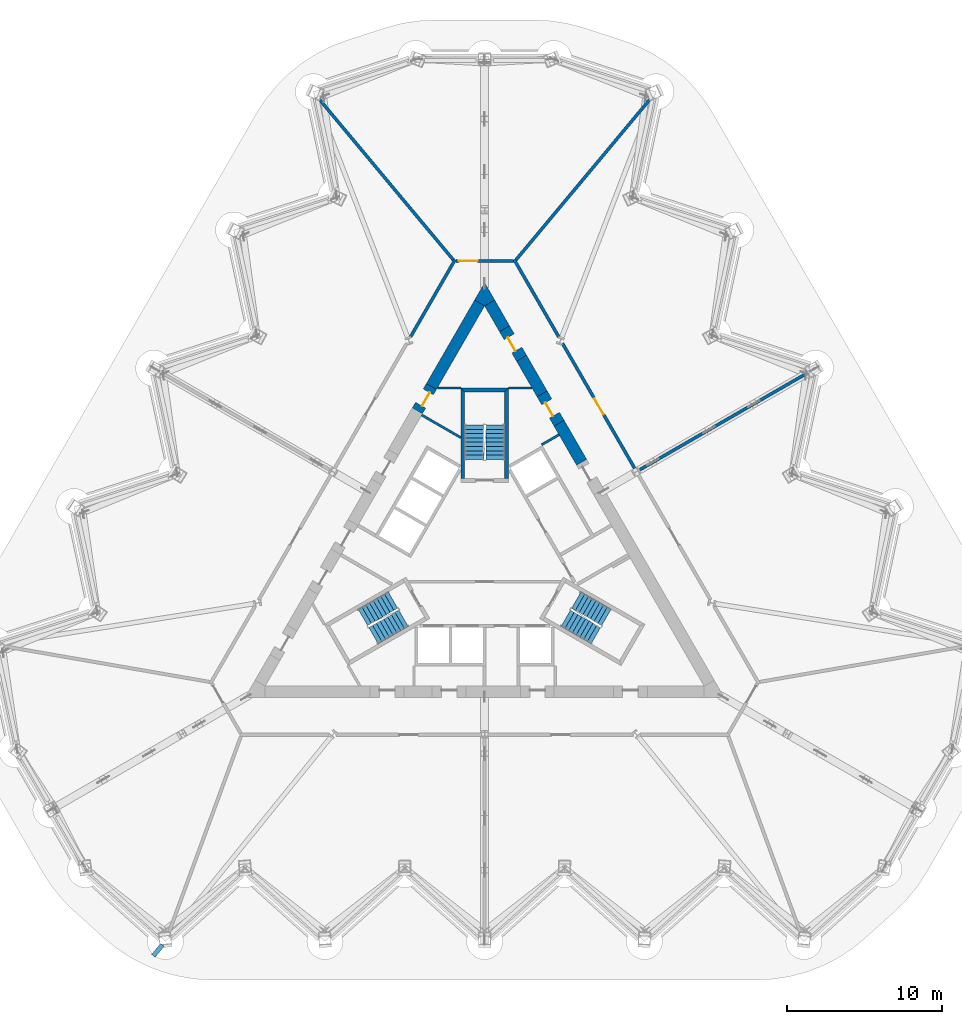
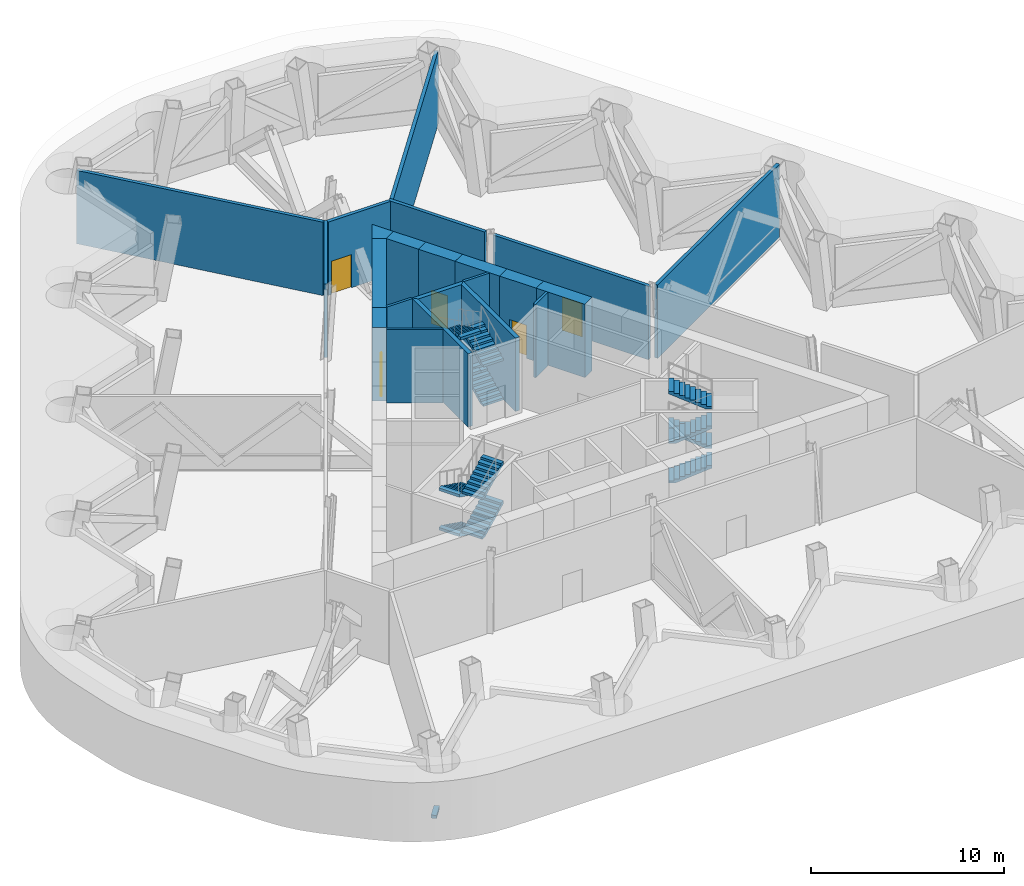
# One storey, part 7 of 13: 22 walls, 12 stair flights, 5 doors, 1 discrete accessory, 5 openings, 3 elements without a shape of their own.
"""IFC4 building model written with IfcOpenShell, lengths in metres."""

from ifc_helpers import new_model, si_unit, direction, frame, frame_2d, origin, origin_2d, place, context, subcontext, project, spatial, polyline, rectangle, outline, extrude, material, layer, layer_set, type_object, element, fill, aggregate, save


model = new_model("IFC4")

# Units and contexts
model_context = context("Model", 3, precision=1e-05, world=origin(), true_north=direction((0.0, 1.0)))
body_context = subcontext(model_context, "Body", "Model", "MODEL_VIEW")
ifc_project = project(units=[si_unit("LENGTHUNIT", "METRE"), si_unit("AREAUNIT", "SQUARE_METRE"), si_unit("VOLUMEUNIT", "CUBIC_METRE"), si_unit("PLANEANGLEUNIT", "RADIAN"), si_unit("MASSUNIT", "GRAM", prefix="KILO")], contexts=[model_context])

# Site, building, storey
site_placement = place(None, origin())
site = spatial("IfcSite", under=ifc_project, at=site_placement, CompositionType="ELEMENT")
building_placement = place(site_placement, origin())
building = spatial("IfcBuilding", under=site, at=building_placement, Name="Cormorant Prow Tower", CompositionType="ELEMENT")
storey_placement = place(building_placement, frame((0.0, 0.0, 226.0)))
storey = spatial("IfcBuildingStorey", under=building, at=storey_placement, Name="L49", CompositionType="ELEMENT", Elevation=226.0)

# Walls
ifc_material_1 = material(Name="Gypsum board partition")
ifc_layer_1 = layer(ifc_material_1, 0.14990234375)
ifc_layer_set_1 = layer_set([ifc_layer_1], Name="Gypsum board partition")
wall_type_1 = type_object("IfcWallType", Name="Core partition 150", PredefinedType="PARTITIONING", material=ifc_layer_set_1)
wall_1_placement = place(storey_placement, frame((3.693359375, 7.4150390625, 0.0), z_axis=(0.0, 0.0, 1.0), x_axis=(0.866003189247, 0.500038474733, 0.0)))
element("IfcWall", 1, at=wall_1_placement, inside=storey, type_object=wall_type_1, Name="Service room partition", PredefinedType="PARTITIONING", context=body_context, shape_type="SweptSolid", body=[
    extrude(rectangle(XDim=1.29296875, YDim=0.14990234375, at=frame_2d((0.646484375, 0.0))), origin(), (0.0, 0.0, 1.0), 4.64990234375),
])
wall_2_placement = place(storey_placement, frame((-4.0751953125, 9.33935546875, 0.0), z_axis=(0.0, 0.0, 1.0), x_axis=(0.865995658863, -0.500051516177, 0.0)))
element("IfcWall", 2, at=wall_2_placement, inside=storey, type_object=wall_type_1, Name="Service room partition", PredefinedType="PARTITIONING", context=body_context, shape_type="SweptSolid", body=[
    extrude(rectangle(XDim=2.932861328125, YDim=0.14990234375, at=frame_2d((1.46630859375, 0.0))), origin(), (0.0, 0.0, 1.0), 4.64990234375),
])
for number, where, z_axis, x_axis, name in (
    (3, (-1.5439453125, 11.0869140625, 0.0), (0.0, 0.0, 1.0), (-1.0, 0.0, 0.0), "Service room partition"),
    (4, (1.5439453125, 11.0869140625, 0.0), (0.0, 0.0, 1.0), (1.0, 0.0, 0.0), "Service room partition"),
):
    element("IfcWall", number, at=place(storey_placement, frame(where, z_axis=z_axis, x_axis=x_axis)), inside=storey, type_object=wall_type_1, Name=name, PredefinedType="PARTITIONING", context=body_context, shape_type="SweptSolid", body=[
        extrude(rectangle(XDim=1.5224609375, YDim=0.14990234375, at=frame_2d((0.76123046875, 0.0))), origin(), (0.0, 0.0, 1.0), 4.64990234375),
    ])
ifc_material_2 = material(Name="Concrete 8000 psi", Category="concrete")
ifc_layer_2 = layer(ifc_material_2, 0.75)
ifc_layer_set_2 = layer_set([ifc_layer_2], Name="Concrete 8000 psi")
wall_type_2 = type_object("IfcWallType", Name="Core shear wall 750", PredefinedType="SHEAR", material=ifc_layer_set_2)
wall_3_placement = place(storey_placement, frame((6.275390625, 6.27880859375, 0.0), z_axis=(0.0, 0.0, 1.0), x_axis=(-0.500029273391, 0.866008502124, 0.0)))
element("IfcWall", 5, at=wall_3_placement, inside=storey, type_object=wall_type_2, Name="Core wall", PredefinedType="SHEAR", context=body_context, shape_type="SweptSolid", body=[
    extrude(rectangle(XDim=2.915771484375, YDim=0.75, at=frame_2d((1.4580078125, 0.0))), origin(), (0.0, 0.0, 1.0), 4.64990234375),
])
wall_4_placement = place(storey_placement, frame((3.71728515625, 10.709228515625, 0.0), z_axis=(0.0, 0.0, 1.0), x_axis=(-0.500005599468, 0.866022170906, 0.0)))
element("IfcWall", 6, at=wall_4_placement, inside=storey, type_object=wall_type_2, Name="Core wall", PredefinedType="SHEAR", context=body_context, shape_type="SweptSolid", body=[
    extrude(rectangle(XDim=2.662109375, YDim=0.75, at=frame_2d((1.3310546875, 0.0))), origin(), (0.0, 0.0, 1.0), 4.64990234375),
])
wall_5_placement = place(storey_placement, frame((1.286376953125, 14.919921875, 0.0), z_axis=(0.0, 0.0, 1.0), x_axis=(-0.500030129425, 0.866008007854, 0.0)))
element("IfcWall", 7, at=wall_5_placement, inside=storey, type_object=wall_type_2, Name="Core wall", PredefinedType="SHEAR", context=body_context, shape_type="SweptSolid", body=[
    extrude(rectangle(XDim=1.92333984375, YDim=0.75, at=frame_2d((0.961669921875, 0.0))), origin(), (0.0, 0.0, 1.0), 4.64990234375),
])
wall_6_placement = place(storey_placement, frame((-0.32470703125, 16.58544921875, 0.0), z_axis=(0.0, 0.0, 1.0), x_axis=(-0.499985517215, -0.866033765263, 0.0)))
element("IfcWall", 8, at=wall_6_placement, inside=storey, type_object=wall_type_2, Name="Core wall", PredefinedType="SHEAR", context=body_context, shape_type="SweptSolid", body=[
    extrude(rectangle(XDim=6.239501953125, YDim=0.75, at=frame_2d((3.11962890625, 0.0))), origin(), (0.0, 0.0, 1.0), 4.64990234375),
])
wall_7_placement = place(storey_placement, origin())
element("IfcWall", 9, at=wall_7_placement, inside=storey, type_object=wall_type_2, Name="Core wall corner", PredefinedType="SHEAR", context=body_context, shape_type="SweptSolid", body=[
    extrude(outline(polyline([(-0.6494140625, 16.77294921875), (0.0, 17.89794921875), (0.6494140625, 16.77294921875), (0.0, 16.39794921875), (-0.6494140625, 16.77294921875)])), origin(), (0.0, 0.0, 1.0), 4.64990234375),
])

# Wall, opening, door
wall_8_placement = place(storey_placement, frame((2.38623046875, 13.0146484375, 0.0), z_axis=(0.0, 0.0, 1.0), x_axis=(-0.499946605688, 0.86605622881, 0.0)))
wall_8 = element("IfcWall", 10, at=wall_8_placement, inside=storey, type_object=wall_type_2, Name="Core wall door panel", PredefinedType="SHEAR", context=body_context, shape_type="SweptSolid", body=[
    extrude(rectangle(XDim=2.199951171875, YDim=0.75, at=frame_2d((1.10009765625, 0.0))), origin(), (0.0, 0.0, 1.0), 4.64990234375),
])
opening_1_placement = place(wall_8_placement, frame((0.60009765625, 0.0, 0.0)))
opening_1 = element("IfcOpeningElement", 11, at=opening_1_placement, cuts=wall_8, Name="Opening L49-C17", PredefinedType="OPENING", context=body_context, shape_type="SweptSolid", body=[
    extrude(rectangle(XDim=1.0, YDim=2.10009765625, at=frame_2d((0.5, 1.050048828125))), frame((0.0, 0.385009765625, 0.0), z_axis=(0.0, -1.0, 0.0), x_axis=(1.0, 0.0, 0.0)), (0.0, 0.0, 1.0), 0.77001953125),
])
ifc_material_3 = material(Name="Painted steel", Category="steel")
door_type_1 = type_object("IfcDoorType", Name="Service door 1000x2100", OperationType="NOTDEFINED", PredefinedType="DOOR", material=ifc_material_3)
door_1_placement = place(opening_1_placement, origin())
door_1 = element("IfcDoor", 12, at=door_1_placement, inside=storey, type_object=door_type_1, Name="Core door, Mechanical riser room", OperationType="SINGLE_SWING_RIGHT", OverallHeight=2.10009765625, OverallWidth=1.0, PredefinedType="DOOR", context=body_context, shape_type="SweptSolid", body=[
    extrude(rectangle(XDim=1.0, YDim=2.10009765625, at=frame_2d((0.5, 1.050048828125))), frame((0.0, 0.1298828125, 0.0), z_axis=(0.0, -1.0, 0.0), x_axis=(1.0, 0.0, 0.0)), (0.0, 0.0, 1.0), 0.050048828125),
])
fill(opening_1, door_1)

wall_9_placement = place(storey_placement, frame((4.8173828125, 8.803955078125, 0.0), z_axis=(0.0, 0.0, 1.0), x_axis=(-0.50002983664, 0.866008176907, 0.0)))
wall_9 = element("IfcWall", 13, at=wall_9_placement, inside=storey, type_object=wall_type_2, Name="Core wall door panel", PredefinedType="SHEAR", context=body_context, shape_type="SweptSolid", body=[
    extrude(rectangle(XDim=2.199951171875, YDim=0.75, at=frame_2d((1.10009765625, 0.0))), origin(), (0.0, 0.0, 1.0), 4.64990234375),
])
opening_2_placement = place(wall_9_placement, frame((0.60009765625, 0.0, 0.0)))
opening_2 = element("IfcOpeningElement", 14, at=opening_2_placement, cuts=wall_9, Name="Opening L49-C20", PredefinedType="OPENING", context=body_context, shape_type="SweptSolid", body=[
    extrude(rectangle(XDim=1.0, YDim=2.10009765625, at=frame_2d((0.5, 1.050048828125))), frame((0.0, 0.385009765625, 0.0), z_axis=(0.0, -1.0, 0.0), x_axis=(1.0, 0.0, 0.0)), (0.0, 0.0, 1.0), 0.77001953125),
])
door_2_placement = place(opening_2_placement, origin())
door_2 = element("IfcDoor", 15, at=door_2_placement, inside=storey, type_object=door_type_1, Name="Core door, Mechanical riser room", OperationType="SINGLE_SWING_RIGHT", OverallHeight=2.10009765625, OverallWidth=1.0, PredefinedType="DOOR", context=body_context, shape_type="SweptSolid", body=[
    extrude(rectangle(XDim=1.0, YDim=2.10009765625, at=frame_2d((0.5, 1.050048828125))), frame((0.0, 0.1298828125, 0.0), z_axis=(0.0, -1.0, 0.0), x_axis=(1.0, 0.0, 0.0)), (0.0, 0.0, 1.0), 0.050048828125),
])
fill(opening_2, door_2)

wall_10_placement = place(storey_placement, frame((-3.4443359375, 11.181884765625, 0.0), z_axis=(0.0, 0.0, 1.0), x_axis=(-0.500071537347, -0.865984097738, 0.0)))
wall_10 = element("IfcWall", 16, at=wall_10_placement, inside=storey, type_object=wall_type_2, Name="Core wall door panel", PredefinedType="SHEAR", context=body_context, shape_type="SweptSolid", body=[
    extrude(rectangle(XDim=1.816162109375, YDim=0.75, at=frame_2d((0.908203125, 0.0))), origin(), (0.0, 0.0, 1.0), 4.64990234375),
])
opening_3_placement = place(wall_10_placement, frame((0.39990234375, 0.0, 0.0)))
opening_3 = element("IfcOpeningElement", 17, at=opening_3_placement, cuts=wall_10, Name="Opening L49-C21", PredefinedType="OPENING", context=body_context, shape_type="SweptSolid", body=[
    extrude(rectangle(XDim=1.0, YDim=2.10009765625, at=frame_2d((0.5, 1.050048828125))), frame((0.0, 0.385009765625, 0.0), z_axis=(0.0, -1.0, 0.0), x_axis=(1.0, 0.0, 0.0)), (0.0, 0.0, 1.0), 0.77001953125),
])
door_3_placement = place(opening_3_placement, origin())
door_3 = element("IfcDoor", 18, at=door_3_placement, inside=storey, type_object=door_type_1, Name="Core door, Mechanical riser room", OperationType="SINGLE_SWING_RIGHT", OverallHeight=2.10009765625, OverallWidth=1.0, PredefinedType="DOOR", context=body_context, shape_type="SweptSolid", body=[
    extrude(rectangle(XDim=1.0, YDim=2.10009765625, at=frame_2d((0.5, 1.050048828125))), frame((0.0, 0.1298828125, 0.0), z_axis=(0.0, -1.0, 0.0), x_axis=(1.0, 0.0, 0.0)), (0.0, 0.0, 1.0), 0.050048828125),
])
fill(opening_3, door_3)

ifc_material_4 = material(Name="Gypsum board corridor wall")
ifc_layer_3 = layer(ifc_material_4, 0.199951171875)
ifc_layer_set_3 = layer_set([ifc_layer_3], Name="Gypsum board corridor wall")
wall_type_3 = type_object("IfcWallType", Name="Corridor wall 200", PredefinedType="PARTITIONING", material=ifc_layer_set_3)
wall_11_placement = place(storey_placement, frame((5.03759765625, 13.972412109375, 0.0), z_axis=(0.0, 0.0, 1.0), x_axis=(0.50000393355, -0.866023132736, 0.0)))
wall_11 = element("IfcWall", 19, at=wall_11_placement, inside=storey, type_object=wall_type_3, Name="Corridor wall", PredefinedType="PARTITIONING", context=body_context, shape_type="SweptSolid", body=[
    extrude(rectangle(XDim=9.3349609375, YDim=0.199951171875, at=frame_2d((4.66748046875, 0.0))), origin(), (0.0, 0.0, 1.0), 4.64990234375),
])
opening_4_placement = place(wall_11_placement, frame((4.11767578125, 0.0, 0.0)))
opening_4 = element("IfcOpeningElement", 20, at=opening_4_placement, cuts=wall_11, Name="Opening L49-F08", PredefinedType="OPENING", context=body_context, shape_type="SweptSolid", body=[
    extrude(rectangle(XDim=1.199951171875, YDim=2.10009765625, at=frame_2d((0.60009765625, 1.050048828125))), frame((0.0, 0.10986328125, 0.0), z_axis=(0.0, -1.0, 0.0), x_axis=(1.0, 0.0, 0.0)), (0.0, 0.0, 1.0), 0.219970703125),
])
ifc_material_5 = material(Name="Timber door leaf", Category="wood")
door_type_2 = type_object("IfcDoorType", Name="Plant room door 1200x2100", OperationType="NOTDEFINED", PredefinedType="DOOR", material=ifc_material_5)
door_4_placement = place(opening_4_placement, origin())
door_4 = element("IfcDoor", 21, at=door_4_placement, inside=storey, type_object=door_type_2, Name="Air handling plant room door", OperationType="SINGLE_SWING_RIGHT", OverallHeight=2.10009765625, OverallWidth=1.199951171875, PredefinedType="DOOR", context=body_context, shape_type="SweptSolid", body=[
    extrude(rectangle(XDim=1.199951171875, YDim=2.10009765625, at=frame_2d((0.60009765625, 1.050048828125))), frame((0.0, 0.02490234375, 0.0), z_axis=(0.0, -1.0, 0.0), x_axis=(1.0, 0.0, 0.0)), (0.0, 0.0, 1.0), 0.050048828125),
])
fill(opening_4, door_4)

# Walls
for number, where, z_axis, x_axis, name in (
    (22, (-4.791015625, 14.39990234375, 0.0), (0.0, 0.0, 1.0), (0.50000762079, 0.866021003874, 0.0), "Corridor wall"),
    (23, (1.9130859375, 19.384521484375, 0.0), (0.0, 0.0, 1.0), (0.50000762079, -0.866021003874, 0.0), "Corridor wall"),
):
    element("IfcWall", number, at=place(storey_placement, frame(where, z_axis=z_axis, x_axis=x_axis)), inside=storey, type_object=wall_type_3, Name=name, PredefinedType="PARTITIONING", context=body_context, shape_type="SweptSolid", body=[
        extrude(rectangle(XDim=5.755859375, YDim=0.199951171875, at=frame_2d((2.8779296875, 0.0))), origin(), (0.0, 0.0, 1.0), 4.64990234375),
    ])

# Wall, opening, door
wall_12_placement = place(storey_placement, frame((-1.863037109375, 19.2978515625, 0.0), z_axis=(0.0, 0.0, 1.0), x_axis=(1.0, 0.0, 0.0)))
wall_12 = element("IfcWall", 24, at=wall_12_placement, inside=storey, type_object=wall_type_3, Name="Corridor wall", PredefinedType="PARTITIONING", context=body_context, shape_type="SweptSolid", body=[
    extrude(rectangle(XDim=3.72607421875, YDim=0.199951171875, at=frame_2d((1.863037109375, 0.0))), origin(), (0.0, 0.0, 1.0), 4.64990234375),
])
opening_5_placement = place(wall_12_placement, frame((0.201171875, 0.0, 0.0)))
opening_5 = element("IfcOpeningElement", 25, at=opening_5_placement, cuts=wall_12, Name="Opening L49-F09", PredefinedType="OPENING", context=body_context, shape_type="SweptSolid", body=[
    extrude(rectangle(XDim=1.199951171875, YDim=2.10009765625, at=frame_2d((0.60009765625, 1.050048828125))), frame((0.0, 0.10986328125, 0.0), z_axis=(0.0, -1.0, 0.0), x_axis=(1.0, 0.0, 0.0)), (0.0, 0.0, 1.0), 0.219970703125),
])
door_5_placement = place(opening_5_placement, origin())
door_5 = element("IfcDoor", 26, at=door_5_placement, inside=storey, type_object=door_type_2, Name="Chiller plant room door", OperationType="SINGLE_SWING_LEFT", OverallHeight=2.10009765625, OverallWidth=1.199951171875, PredefinedType="DOOR", context=body_context, shape_type="SweptSolid", body=[
    extrude(rectangle(XDim=1.199951171875, YDim=2.10009765625, at=frame_2d((0.60009765625, 1.050048828125))), frame((0.0, 0.02490234375, 0.0), z_axis=(0.0, -1.0, 0.0), x_axis=(1.0, 0.0, 0.0)), (0.0, 0.0, 1.0), 0.050048828125),
])
fill(opening_5, door_5)

# Walls
ifc_material_6 = material(Name="Gypsum board demising wall")
ifc_layer_4 = layer(ifc_material_6, 0.199951171875)
ifc_layer_set_4 = layer_set([ifc_layer_4], Name="Gypsum board demising wall")
wall_type_4 = type_object("IfcWallType", Name="Demising wall 200", PredefinedType="PARTITIONING", material=ifc_layer_set_4)
for number, where, z_axis, x_axis, name in (
    (27, (2.027099609375, 19.37451171875, 0.0), (0.0, 0.0, 1.0), (0.640645811519, 0.767836534806, 0.0), "Demising wall"),
    (28, (-10.760498046875, 29.841796875, 0.0), (0.0, 0.0, 1.0), (0.640645811519, -0.767836534806, 0.0), "Demising wall"),
):
    element("IfcWall", number, at=place(storey_placement, frame(where, z_axis=z_axis, x_axis=x_axis)), inside=storey, type_object=wall_type_4, Name=name, PredefinedType="PARTITIONING", context=body_context, shape_type="SweptSolid", body=[
        extrude(rectangle(XDim=13.632080078125, YDim=0.199951171875, at=frame_2d((6.81591796875, 0.0))), origin(), (0.0, 0.0, 1.0), 4.64990234375),
    ])
wall_13_placement = place(storey_placement, frame((10.042236328125, 5.7978515625, 0.0), z_axis=(0.0, 0.0, 1.0), x_axis=(0.866025883649, 0.499999168849, 0.0)))
element("IfcWall", 29, at=wall_13_placement, inside=storey, type_object=wall_type_4, Name="Demising wall", PredefinedType="PARTITIONING", context=body_context, shape_type="SweptSolid", body=[
    extrude(rectangle(XDim=12.65234375, YDim=0.199951171875, at=frame_2d((6.326171875, 0.0))), origin(), (0.0, 0.0, 1.0), 4.64990234375),
])
ifc_material_7 = material(Name="Concrete 8000 psi", Category="concrete")
ifc_layer_5 = layer(ifc_material_7, 0.25)
ifc_layer_set_5 = layer_set([ifc_layer_5], Name="Concrete 8000 psi")
wall_type_5 = type_object("IfcWallType", Name="Stair wall 250", PredefinedType="SHEAR", material=ifc_layer_set_5)
wall_14_placement = place(storey_placement, origin())
element("IfcWall", 30, at=wall_14_placement, inside=storey, type_object=wall_type_5, Name="Stair ST3 enclosure wall (flank)", PredefinedType="SHEAR", context=body_context, shape_type="SweptSolid", body=[
    extrude(outline(polyline([(1.5439453125, 5.23681640625), (1.5439453125, 11.0869140625), (1.2939453125, 10.8369140625), (1.2939453125, 5.23681640625), (1.5439453125, 5.23681640625)])), origin(), (0.0, 0.0, 1.0), 4.64990234375),
])
wall_15_placement = place(storey_placement, origin())
element("IfcWall", 31, at=wall_15_placement, inside=storey, type_object=wall_type_5, Name="Stair ST3 enclosure wall (end)", PredefinedType="SHEAR", context=body_context, shape_type="SweptSolid", body=[
    extrude(outline(polyline([(1.5439453125, 11.0869140625), (-1.5439453125, 11.0869140625), (-1.2939453125, 10.8369140625), (1.2939453125, 10.8369140625), (1.5439453125, 11.0869140625)])), origin(), (0.0, 0.0, 1.0), 4.64990234375),
])
wall_16_placement = place(storey_placement, origin())
element("IfcWall", 32, at=wall_16_placement, inside=storey, type_object=wall_type_5, Name="Stair ST3 enclosure wall (flank)", PredefinedType="SHEAR", context=body_context, shape_type="SweptSolid", body=[
    extrude(outline(polyline([(-1.2939453125, 10.8369140625), (-1.5439453125, 11.0869140625), (-1.5439453125, 5.23681640625), (-1.2939453125, 5.23681640625), (-1.2939453125, 10.8369140625)])), origin(), (0.0, 0.0, 1.0), 4.64990234375),
])

# Stair, stair flights
ifc_material_8 = material(Name="Exit stair 36 risers")
stair_type = type_object("IfcStairType", Name="Exit stair 36 risers", PredefinedType="HALF_TURN_STAIR", material=ifc_material_8)
stair_1_placement = place(storey_placement, origin())
stair_1 = element("IfcStair", 33, at=stair_1_placement, inside=storey, type_object=stair_type, Name="L49 Exit stair ST1", PredefinedType="HALF_TURN_STAIR")
ifc_material_9 = material(Name="Concrete 5000 psi", Category="concrete")
stair_flight_type = type_object("IfcStairFlightType", Name="Stair flight 1219", PredefinedType="STRAIGHT", material=ifc_material_9)
stair_flight_1_placement = place(storey_placement, frame((-5.93310546875, -2.635009765625, 0.0), z_axis=(0.0, 0.0, 1.0), x_axis=(-0.866025403784, -0.5, 0.0)))
stair_flight_1 = element("IfcStairFlight", 34, at=stair_flight_1_placement, type_object=stair_flight_type, Name="ST1 flight 1", NumberOfRisers=9, NumberOfTreads=8, PredefinedType="STRAIGHT", RiserHeight=0.138888889, TreadLength=0.28, context=body_context, shape_type="SweptSolid", body=[
    extrude(outline(polyline([(0.0, 0.0), (0.0, 0.138916015625), (0.280029296875, 0.138916015625), (0.280029296875, 0.27783203125), (0.56005859375, 0.27783203125), (0.56005859375, 0.416748046875), (0.840087890625, 0.416748046875), (0.840087890625, 0.5556640625), (1.1201171875, 0.5556640625), (1.1201171875, 0.6943359375), (1.39990234375, 0.6943359375), (1.39990234375, 0.833251953125), (1.679931640625, 0.833251953125), (1.679931640625, 0.97216796875), (1.9599609375, 0.97216796875), (1.9599609375, 1.111083984375), (2.239990234375, 1.111083984375), (2.239990234375, 1.25), (2.239990234375, 0.94384765625), (0.33740234375, 0.0), (0.0, 0.0)])), frame((0.0, 0.609375, 0.0), z_axis=(0.0, -1.0, 0.0), x_axis=(1.0, 0.0, 0.0)), (0.0, 0.0, 1.0), 1.218994140625),
])
stair_flight_2_placement = place(storey_placement, frame((-7.1884765625, -4.940673828125, 1.25), z_axis=(0.0, 0.0, 1.0), x_axis=(0.866025403784, 0.5, 0.0)))
stair_flight_2 = element("IfcStairFlight", 35, at=stair_flight_2_placement, type_object=stair_flight_type, Name="ST1 flight 2", NumberOfRisers=9, NumberOfTreads=8, PredefinedType="STRAIGHT", RiserHeight=0.138888889, TreadLength=0.28, context=body_context, shape_type="SweptSolid", body=[
    extrude(outline(polyline([(0.0, 0.0), (0.0, 0.138916015625), (0.280029296875, 0.138916015625), (0.280029296875, 0.27783203125), (0.56005859375, 0.27783203125), (0.56005859375, 0.416748046875), (0.840087890625, 0.416748046875), (0.840087890625, 0.5556640625), (1.1201171875, 0.5556640625), (1.1201171875, 0.6943359375), (1.39990234375, 0.6943359375), (1.39990234375, 0.833251953125), (1.679931640625, 0.833251953125), (1.679931640625, 0.97216796875), (1.9599609375, 0.97216796875), (1.9599609375, 1.111083984375), (2.239990234375, 1.111083984375), (2.239990234375, 1.25), (2.239990234375, 0.94384765625), (0.33740234375, 0.0), (0.0, 0.0)])), frame((0.0, 0.609375, 0.0), z_axis=(0.0, -1.0, 0.0), x_axis=(1.0, 0.0, 0.0)), (0.0, 0.0, 1.0), 1.218994140625),
])
stair_flight_3_placement = place(storey_placement, frame((-5.93310546875, -2.635009765625, 2.5), z_axis=(0.0, 0.0, 1.0), x_axis=(-0.866025403784, -0.5, 0.0)))
stair_flight_3 = element("IfcStairFlight", 36, at=stair_flight_3_placement, type_object=stair_flight_type, Name="ST1 flight 3", NumberOfRisers=9, NumberOfTreads=8, PredefinedType="STRAIGHT", RiserHeight=0.138888889, TreadLength=0.28, context=body_context, shape_type="SweptSolid", body=[
    extrude(outline(polyline([(0.0, 0.0), (0.0, 0.138916015625), (0.280029296875, 0.138916015625), (0.280029296875, 0.27783203125), (0.56005859375, 0.27783203125), (0.56005859375, 0.416748046875), (0.840087890625, 0.416748046875), (0.840087890625, 0.5556640625), (1.1201171875, 0.5556640625), (1.1201171875, 0.6943359375), (1.39990234375, 0.6943359375), (1.39990234375, 0.833251953125), (1.679931640625, 0.833251953125), (1.679931640625, 0.97216796875), (1.9599609375, 0.97216796875), (1.9599609375, 1.111083984375), (2.239990234375, 1.111083984375), (2.239990234375, 1.25), (2.239990234375, 0.94384765625), (0.33740234375, 0.0), (0.0, 0.0)])), frame((0.0, 0.609375, 0.0), z_axis=(0.0, -1.0, 0.0), x_axis=(1.0, 0.0, 0.0)), (0.0, 0.0, 1.0), 1.218994140625),
])
stair_flight_4_placement = place(storey_placement, frame((-7.1884765625, -4.940673828125, 3.75), z_axis=(0.0, 0.0, 1.0), x_axis=(0.866025403784, 0.5, 0.0)))
stair_flight_4 = element("IfcStairFlight", 37, at=stair_flight_4_placement, type_object=stair_flight_type, Name="ST1 flight 4", NumberOfRisers=9, NumberOfTreads=8, PredefinedType="STRAIGHT", RiserHeight=0.138888889, TreadLength=0.28, context=body_context, shape_type="SweptSolid", body=[
    extrude(outline(polyline([(0.0, 0.0), (0.0, 0.138916015625), (0.280029296875, 0.138916015625), (0.280029296875, 0.27783203125), (0.56005859375, 0.27783203125), (0.56005859375, 0.416748046875), (0.840087890625, 0.416748046875), (0.840087890625, 0.5556640625), (1.1201171875, 0.5556640625), (1.1201171875, 0.6943359375), (1.39990234375, 0.6943359375), (1.39990234375, 0.833251953125), (1.679931640625, 0.833251953125), (1.679931640625, 0.97216796875), (1.9599609375, 0.97216796875), (1.9599609375, 1.111083984375), (2.239990234375, 1.111083984375), (2.239990234375, 1.25), (2.239990234375, 0.94384765625), (0.33740234375, 0.0), (0.0, 0.0)])), frame((0.0, 0.609375, 0.0), z_axis=(0.0, -1.0, 0.0), x_axis=(1.0, 0.0, 0.0)), (0.0, 0.0, 1.0), 1.218994140625),
])
aggregate(stair_1, [stair_flight_1, stair_flight_2, stair_flight_3, stair_flight_4])

stair_2_placement = place(storey_placement, origin())
stair_2 = element("IfcStair", 38, at=stair_2_placement, inside=storey, type_object=stair_type, Name="L49 Exit stair ST2", PredefinedType="HALF_TURN_STAIR")
stair_flight_5_placement = place(storey_placement, frame((5.24853515625, -3.82080078125, 0.0), z_axis=(0.0, 0.0, 1.0), x_axis=(0.866025403784, -0.5, 0.0)))
stair_flight_5 = element("IfcStairFlight", 39, at=stair_flight_5_placement, type_object=stair_flight_type, Name="ST2 flight 1", NumberOfRisers=9, NumberOfTreads=8, PredefinedType="STRAIGHT", RiserHeight=0.138888889, TreadLength=0.28, context=body_context, shape_type="SweptSolid", body=[
    extrude(outline(polyline([(0.0, 0.0), (0.0, 0.138916015625), (0.280029296875, 0.138916015625), (0.280029296875, 0.27783203125), (0.56005859375, 0.27783203125), (0.56005859375, 0.416748046875), (0.840087890625, 0.416748046875), (0.840087890625, 0.5556640625), (1.1201171875, 0.5556640625), (1.1201171875, 0.6943359375), (1.39990234375, 0.6943359375), (1.39990234375, 0.833251953125), (1.679931640625, 0.833251953125), (1.679931640625, 0.97216796875), (1.9599609375, 0.97216796875), (1.9599609375, 1.111083984375), (2.239990234375, 1.111083984375), (2.239990234375, 1.25), (2.239990234375, 0.94384765625), (0.33740234375, 0.0), (0.0, 0.0)])), frame((0.0, 0.609375, 0.0), z_axis=(0.0, -1.0, 0.0), x_axis=(1.0, 0.0, 0.0)), (0.0, 0.0, 1.0), 1.218994140625),
])
stair_flight_6_placement = place(storey_placement, frame((7.873046875, -3.755126953125, 1.25), z_axis=(0.0, 0.0, 1.0), x_axis=(-0.866025403784, 0.5, 0.0)))
stair_flight_6 = element("IfcStairFlight", 40, at=stair_flight_6_placement, type_object=stair_flight_type, Name="ST2 flight 2", NumberOfRisers=9, NumberOfTreads=8, PredefinedType="STRAIGHT", RiserHeight=0.138888889, TreadLength=0.28, context=body_context, shape_type="SweptSolid", body=[
    extrude(outline(polyline([(0.0, 0.0), (0.0, 0.138916015625), (0.280029296875, 0.138916015625), (0.280029296875, 0.27783203125), (0.56005859375, 0.27783203125), (0.56005859375, 0.416748046875), (0.840087890625, 0.416748046875), (0.840087890625, 0.5556640625), (1.1201171875, 0.5556640625), (1.1201171875, 0.6943359375), (1.39990234375, 0.6943359375), (1.39990234375, 0.833251953125), (1.679931640625, 0.833251953125), (1.679931640625, 0.97216796875), (1.9599609375, 0.97216796875), (1.9599609375, 1.111083984375), (2.239990234375, 1.111083984375), (2.239990234375, 1.25), (2.239990234375, 0.94384765625), (0.33740234375, 0.0), (0.0, 0.0)])), frame((0.0, 0.609375, 0.0), z_axis=(0.0, -1.0, 0.0), x_axis=(1.0, 0.0, 0.0)), (0.0, 0.0, 1.0), 1.218994140625),
])
stair_flight_7_placement = place(storey_placement, frame((5.24853515625, -3.82080078125, 2.5), z_axis=(0.0, 0.0, 1.0), x_axis=(0.866025403784, -0.5, 0.0)))
stair_flight_7 = element("IfcStairFlight", 41, at=stair_flight_7_placement, type_object=stair_flight_type, Name="ST2 flight 3", NumberOfRisers=9, NumberOfTreads=8, PredefinedType="STRAIGHT", RiserHeight=0.138888889, TreadLength=0.28, context=body_context, shape_type="SweptSolid", body=[
    extrude(outline(polyline([(0.0, 0.0), (0.0, 0.138916015625), (0.280029296875, 0.138916015625), (0.280029296875, 0.27783203125), (0.56005859375, 0.27783203125), (0.56005859375, 0.416748046875), (0.840087890625, 0.416748046875), (0.840087890625, 0.5556640625), (1.1201171875, 0.5556640625), (1.1201171875, 0.6943359375), (1.39990234375, 0.6943359375), (1.39990234375, 0.833251953125), (1.679931640625, 0.833251953125), (1.679931640625, 0.97216796875), (1.9599609375, 0.97216796875), (1.9599609375, 1.111083984375), (2.239990234375, 1.111083984375), (2.239990234375, 1.25), (2.239990234375, 0.94384765625), (0.33740234375, 0.0), (0.0, 0.0)])), frame((0.0, 0.609375, 0.0), z_axis=(0.0, -1.0, 0.0), x_axis=(1.0, 0.0, 0.0)), (0.0, 0.0, 1.0), 1.218994140625),
])
stair_flight_8_placement = place(storey_placement, frame((7.873046875, -3.755126953125, 3.75), z_axis=(0.0, 0.0, 1.0), x_axis=(-0.866025403784, 0.5, 0.0)))
stair_flight_8 = element("IfcStairFlight", 42, at=stair_flight_8_placement, type_object=stair_flight_type, Name="ST2 flight 4", NumberOfRisers=9, NumberOfTreads=8, PredefinedType="STRAIGHT", RiserHeight=0.138888889, TreadLength=0.28, context=body_context, shape_type="SweptSolid", body=[
    extrude(outline(polyline([(0.0, 0.0), (0.0, 0.138916015625), (0.280029296875, 0.138916015625), (0.280029296875, 0.27783203125), (0.56005859375, 0.27783203125), (0.56005859375, 0.416748046875), (0.840087890625, 0.416748046875), (0.840087890625, 0.5556640625), (1.1201171875, 0.5556640625), (1.1201171875, 0.6943359375), (1.39990234375, 0.6943359375), (1.39990234375, 0.833251953125), (1.679931640625, 0.833251953125), (1.679931640625, 0.97216796875), (1.9599609375, 0.97216796875), (1.9599609375, 1.111083984375), (2.239990234375, 1.111083984375), (2.239990234375, 1.25), (2.239990234375, 0.94384765625), (0.33740234375, 0.0), (0.0, 0.0)])), frame((0.0, 0.609375, 0.0), z_axis=(0.0, -1.0, 0.0), x_axis=(1.0, 0.0, 0.0)), (0.0, 0.0, 1.0), 1.218994140625),
])
aggregate(stair_2, [stair_flight_5, stair_flight_6, stair_flight_7, stair_flight_8])

stair_3_placement = place(storey_placement, origin())
stair_3 = element("IfcStair", 43, at=stair_3_placement, inside=storey, type_object=stair_type, Name="L49 Exit stair ST3", PredefinedType="HALF_TURN_STAIR")
stair_flight_9_placement = place(storey_placement, frame((0.6845703125, 6.455810546875, 0.0), z_axis=(0.0, 0.0, 1.0), x_axis=(0.0, 1.0, 0.0)))
stair_flight_9 = element("IfcStairFlight", 44, at=stair_flight_9_placement, type_object=stair_flight_type, Name="ST3 flight 1", NumberOfRisers=9, NumberOfTreads=8, PredefinedType="STRAIGHT", RiserHeight=0.138888889, TreadLength=0.28, context=body_context, shape_type="SweptSolid", body=[
    extrude(outline(polyline([(0.0, 0.0), (0.0, 0.138916015625), (0.280029296875, 0.138916015625), (0.280029296875, 0.27783203125), (0.56005859375, 0.27783203125), (0.56005859375, 0.416748046875), (0.840087890625, 0.416748046875), (0.840087890625, 0.5556640625), (1.1201171875, 0.5556640625), (1.1201171875, 0.6943359375), (1.39990234375, 0.6943359375), (1.39990234375, 0.833251953125), (1.679931640625, 0.833251953125), (1.679931640625, 0.97216796875), (1.9599609375, 0.97216796875), (1.9599609375, 1.111083984375), (2.239990234375, 1.111083984375), (2.239990234375, 1.25), (2.239990234375, 0.94384765625), (0.33740234375, 0.0), (0.0, 0.0)])), frame((0.0, 0.609375, 0.0), z_axis=(0.0, -1.0, 0.0), x_axis=(1.0, 0.0, 0.0)), (0.0, 0.0, 1.0), 1.218994140625),
])
stair_flight_10_placement = place(storey_placement, frame((-0.6845703125, 8.69580078125, 1.25), z_axis=(0.0, 0.0, 1.0), x_axis=(0.0, -1.0, 0.0)))
stair_flight_10 = element("IfcStairFlight", 45, at=stair_flight_10_placement, type_object=stair_flight_type, Name="ST3 flight 2", NumberOfRisers=9, NumberOfTreads=8, PredefinedType="STRAIGHT", RiserHeight=0.138888889, TreadLength=0.28, context=body_context, shape_type="SweptSolid", body=[
    extrude(outline(polyline([(0.0, 0.0), (0.0, 0.138916015625), (0.280029296875, 0.138916015625), (0.280029296875, 0.27783203125), (0.56005859375, 0.27783203125), (0.56005859375, 0.416748046875), (0.840087890625, 0.416748046875), (0.840087890625, 0.5556640625), (1.1201171875, 0.5556640625), (1.1201171875, 0.6943359375), (1.39990234375, 0.6943359375), (1.39990234375, 0.833251953125), (1.679931640625, 0.833251953125), (1.679931640625, 0.97216796875), (1.9599609375, 0.97216796875), (1.9599609375, 1.111083984375), (2.239990234375, 1.111083984375), (2.239990234375, 1.25), (2.239990234375, 0.94384765625), (0.33740234375, 0.0), (0.0, 0.0)])), frame((0.0, 0.609375, 0.0), z_axis=(0.0, -1.0, 0.0), x_axis=(1.0, 0.0, 0.0)), (0.0, 0.0, 1.0), 1.218994140625),
])
stair_flight_11_placement = place(storey_placement, frame((0.6845703125, 6.455810546875, 2.5), z_axis=(0.0, 0.0, 1.0), x_axis=(0.0, 1.0, 0.0)))
stair_flight_11 = element("IfcStairFlight", 46, at=stair_flight_11_placement, type_object=stair_flight_type, Name="ST3 flight 3", NumberOfRisers=9, NumberOfTreads=8, PredefinedType="STRAIGHT", RiserHeight=0.138888889, TreadLength=0.28, context=body_context, shape_type="SweptSolid", body=[
    extrude(outline(polyline([(0.0, 0.0), (0.0, 0.138916015625), (0.280029296875, 0.138916015625), (0.280029296875, 0.27783203125), (0.56005859375, 0.27783203125), (0.56005859375, 0.416748046875), (0.840087890625, 0.416748046875), (0.840087890625, 0.5556640625), (1.1201171875, 0.5556640625), (1.1201171875, 0.6943359375), (1.39990234375, 0.6943359375), (1.39990234375, 0.833251953125), (1.679931640625, 0.833251953125), (1.679931640625, 0.97216796875), (1.9599609375, 0.97216796875), (1.9599609375, 1.111083984375), (2.239990234375, 1.111083984375), (2.239990234375, 1.25), (2.239990234375, 0.94384765625), (0.33740234375, 0.0), (0.0, 0.0)])), frame((0.0, 0.609375, 0.0), z_axis=(0.0, -1.0, 0.0), x_axis=(1.0, 0.0, 0.0)), (0.0, 0.0, 1.0), 1.218994140625),
])
stair_flight_12_placement = place(storey_placement, frame((-0.6845703125, 8.69580078125, 3.75), z_axis=(0.0, 0.0, 1.0), x_axis=(0.0, -1.0, 0.0)))
stair_flight_12 = element("IfcStairFlight", 47, at=stair_flight_12_placement, type_object=stair_flight_type, Name="ST3 flight 4", NumberOfRisers=9, NumberOfTreads=8, PredefinedType="STRAIGHT", RiserHeight=0.138888889, TreadLength=0.28, context=body_context, shape_type="SweptSolid", body=[
    extrude(outline(polyline([(0.0, 0.0), (0.0, 0.138916015625), (0.280029296875, 0.138916015625), (0.280029296875, 0.27783203125), (0.56005859375, 0.27783203125), (0.56005859375, 0.416748046875), (0.840087890625, 0.416748046875), (0.840087890625, 0.5556640625), (1.1201171875, 0.5556640625), (1.1201171875, 0.6943359375), (1.39990234375, 0.6943359375), (1.39990234375, 0.833251953125), (1.679931640625, 0.833251953125), (1.679931640625, 0.97216796875), (1.9599609375, 0.97216796875), (1.9599609375, 1.111083984375), (2.239990234375, 1.111083984375), (2.239990234375, 1.25), (2.239990234375, 0.94384765625), (0.33740234375, 0.0), (0.0, 0.0)])), frame((0.0, 0.609375, 0.0), z_axis=(0.0, -1.0, 0.0), x_axis=(1.0, 0.0, 0.0)), (0.0, 0.0, 1.0), 1.218994140625),
])
aggregate(stair_3, [stair_flight_9, stair_flight_10, stair_flight_11, stair_flight_12])

# Discrete accessory
ifc_material_10 = material(Name="Aluminium 6063-T6", Category="aluminium")
discrete_accessory_type = type_object("IfcDiscreteAccessoryType", Name="Fascia bracket 900x300x200", PredefinedType="BRACKET", material=ifc_material_10)
discrete_accessory_placement = place(storey_placement, frame((-21.139892578125, -25.297119140625, 0.89990234375), z_axis=(0.0, 0.0, 1.0), x_axis=(-0.641237977318, -0.767342072641, 0.0)))
element("IfcDiscreteAccessory", 48, at=discrete_accessory_placement, inside=storey, type_object=discrete_accessory_type, Name="Fascia bracket L49", PredefinedType="BRACKET", context=body_context, shape_type="SweptSolid", body=[
    extrude(rectangle(XDim=0.89990234375, YDim=0.300048828125, at=origin_2d()), origin(), (0.0, 0.0, 1.0), 0.199951171875),
])

save(model, "model.ifc")
